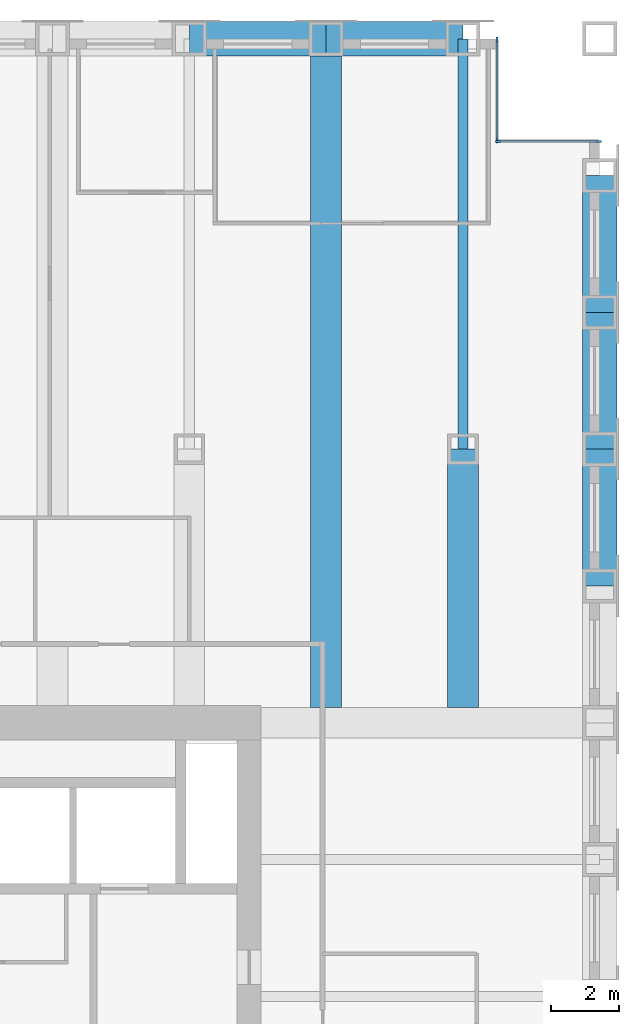
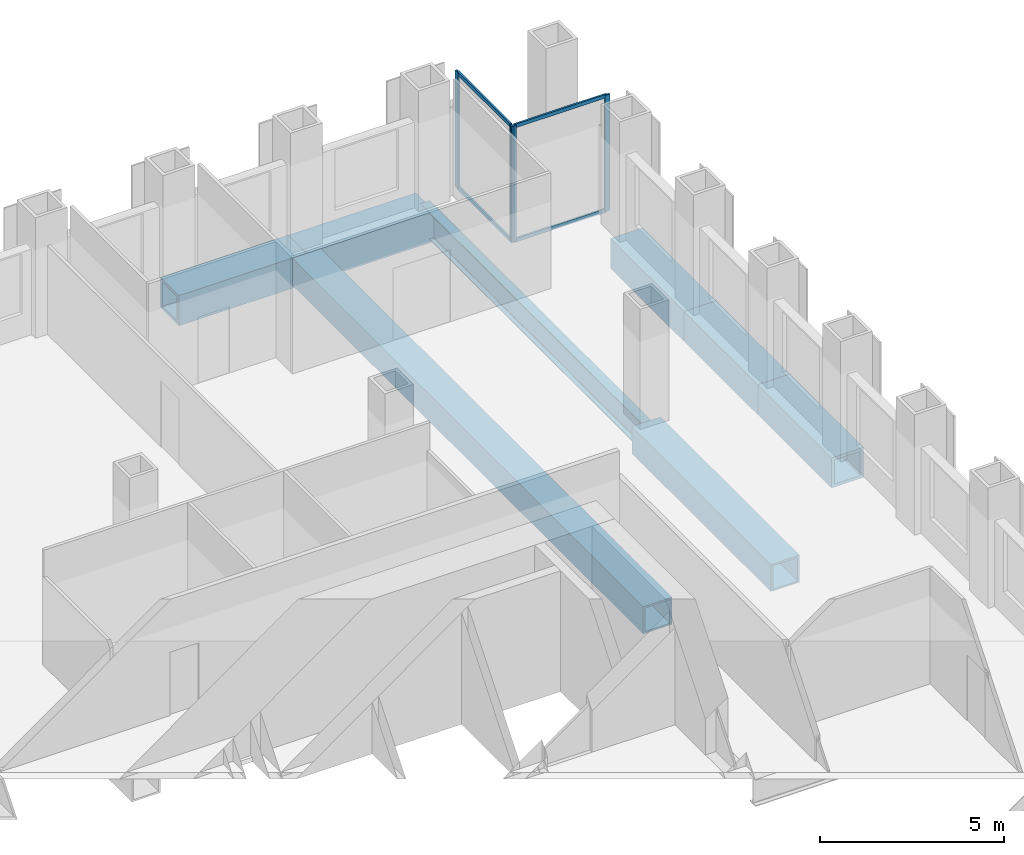
# One storey, part 7 of 13: 8 beams, 8 members, 2 elements without a shape of their own.
"""IFC4 building model written with IfcOpenShell, lengths in metres."""

from ifc_helpers import new_model, si_unit, direction, frame, origin, origin_2d, place, context, subcontext, project, spatial, rectangle, hollow_rectangle, i_section, extrude, material, material_profile, profile_set, type_object, element, aggregate, save


model = new_model("IFC4")

# Units and contexts
model_context = context("Model", 3, precision=1e-05, world=origin(), true_north=direction((0.0, 1.0)))
body_context = subcontext(model_context, "Body", "Model", "MODEL_VIEW")
ifc_project = project(units=[si_unit("LENGTHUNIT", "METRE"), si_unit("AREAUNIT", "SQUARE_METRE"), si_unit("VOLUMEUNIT", "CUBIC_METRE"), si_unit("PLANEANGLEUNIT", "RADIAN"), si_unit("MASSUNIT", "GRAM", prefix="KILO")], contexts=[model_context])

# Site, building, storey
site_placement = place(None, origin())
site = spatial("IfcSite", under=ifc_project, at=site_placement, CompositionType="ELEMENT")
building_placement = place(site_placement, origin())
building = spatial("IfcBuilding", under=site, at=building_placement, Name="Rimbunsela Tower", CompositionType="ELEMENT")
storey_placement = place(building_placement, frame((0.0, 0.0, 191.800048828125)))
storey = spatial("IfcBuildingStorey", under=building, at=storey_placement, Name="L46", CompositionType="ELEMENT", Elevation=191.800048828125)

# Beams
ifc_material_1 = material(Name="Steel BJ 55 (fy 410 MPa)", Category="steel")
ifc_material_profile_1 = material_profile(ifc_material_1, hollow_rectangle(XDim=1.0, YDim=1.0, WallThickness=0.10009765625, at=origin_2d()), Name="BOX 1000x1000x100")
ifc_profile_set_1 = profile_set([ifc_material_profile_1], Name="Steel BJ 55 (fy 410 MPa)")
beam_type_1 = type_object("IfcBeamType", Name="Beam BOX 1000x1000x100", PredefinedType="BEAM", material=ifc_profile_set_1)
for number, where, z_axis, x_axis, name in (
    (1, (34.0, 56.0, -0.650146484375), (1.0, 0.0, 0.0), (0.0, 1.0, 0.0), "Beam B3 L46"),
    (2, (38.0, 56.0, -0.650146484375), (1.0, 0.0, 0.0), (0.0, 1.0, 0.0), "Beam B3 L46"),
    (3, (46.0, 40.0, -0.650146484375), (0.0, 1.0, 0.0), (-1.0, 0.0, 0.0), "Beam B3 L46"),
    (4, (46.0, 44.0, -0.650146484375), (0.0, 1.0, 0.0), (-1.0, 0.0, 0.0), "Beam B3 L46"),
    (5, (46.0, 48.0, -0.650146484375), (0.0, 1.0, 0.0), (-1.0, 0.0, 0.0), "Beam B3 L46"),
):
    element("IfcBeam", number, at=place(storey_placement, frame(where, z_axis=z_axis, x_axis=x_axis)), inside=storey, type_object=beam_type_1, Name=name, PredefinedType="BEAM", context=body_context, shape_type="SweptSolid", body=[
        extrude(hollow_rectangle(XDim=1.0, YDim=1.0, WallThickness=0.10009765625, at=origin_2d()), origin(), (0.0, 0.0, 1.0), 4.0),
    ])
ifc_material_2 = material(Name="Steel BJ 55 (fy 410 MPa)", Category="steel")
ifc_material_profile_2 = material_profile(ifc_material_2, hollow_rectangle(XDim=0.89990234375, YDim=0.89990234375, WallThickness=0.06005859375, at=origin_2d()), Name="BOX 900x900x60")
ifc_profile_set_2 = profile_set([ifc_material_profile_2], Name="Steel BJ 55 (fy 410 MPa)")
beam_type_2 = type_object("IfcBeamType", Name="Beam BOX 900x900x60", PredefinedType="BEAM", material=ifc_profile_set_2)
beam_1_placement = place(storey_placement, frame((38.0, 36.449951171875, -0.60009765625), z_axis=(0.0, 1.0, 0.0), x_axis=(-1.0, 0.0, 0.0)))
element("IfcBeam", 6, at=beam_1_placement, inside=storey, type_object=beam_type_2, Name="Beam B1 L46", PredefinedType="BEAM", context=body_context, shape_type="SweptSolid", body=[
    extrude(hollow_rectangle(XDim=0.89990234375, YDim=0.89990234375, WallThickness=0.06005859375, at=origin_2d()), origin(), (0.0, 0.0, 1.0), 19.550048828125),
])
beam_2_placement = place(storey_placement, frame((42.0, 36.449951171875, -0.60009765625), z_axis=(0.0, 1.0, 0.0), x_axis=(-1.0, 0.0, 0.0)))
element("IfcBeam", 7, at=beam_2_placement, inside=storey, type_object=beam_type_2, Name="Beam B1 L46", PredefinedType="BEAM", context=body_context, shape_type="SweptSolid", body=[
    extrude(hollow_rectangle(XDim=0.89990234375, YDim=0.89990234375, WallThickness=0.06005859375, at=origin_2d()), origin(), (0.0, 0.0, 1.0), 7.550048828125),
])
ifc_material_3 = material(Name="Steel BJ 55 (fy 410 MPa)", Category="steel")
ifc_material_profile_3 = material_profile(ifc_material_3, i_section(OverallWidth=0.300048828125, OverallDepth=0.89990234375, WebThickness=0.01611328125, FlangeThickness=0.028076171875, FilletRadius=0.028076171875, at=origin_2d()), Name="H 900x300x16x28")
ifc_profile_set_3 = profile_set([ifc_material_profile_3], Name="Steel BJ 55 (fy 410 MPa)")
beam_type_3 = type_object("IfcBeamType", Name="Beam H 900x300x16x28", PredefinedType="BEAM", material=ifc_profile_set_3)
beam_3_placement = place(storey_placement, frame((42.0, 44.0, -0.60009765625), z_axis=(0.0, 1.0, 0.0), x_axis=(-1.0, 0.0, 0.0)))
element("IfcBeam", 8, at=beam_3_placement, inside=storey, type_object=beam_type_3, Name="Beam B2 L46", PredefinedType="BEAM", context=body_context, shape_type="SweptSolid", body=[
    extrude(i_section(OverallWidth=0.300048828125, OverallDepth=0.89990234375, WebThickness=0.01611328125, FlangeThickness=0.028076171875, FilletRadius=0.028076171875, at=origin_2d()), origin(), (0.0, 0.0, 1.0), 12.0),
])

# Curtain wall, members
ifc_material_4 = material(Name="Aluminium curtain wall", Category="aluminium")
curtain_wall_type = type_object("IfcCurtainWallType", Name="Corner glazing", PredefinedType="USERDEFINED", material=ifc_material_4)
curtain_wall_1_placement = place(storey_placement, origin())
curtain_wall_1 = element("IfcCurtainWall", 9, at=curtain_wall_1_placement, inside=storey, type_object=curtain_wall_type, Name="Corner glazing L46", ObjectType="CORNER GLAZING", PredefinedType="USERDEFINED")
ifc_material_5 = material(Name="Aluminium mullion", Category="aluminium")
ifc_material_profile_4 = material_profile(ifc_material_5, rectangle(XDim=0.06005859375, YDim=0.159912109375, at=origin_2d()), Name="Mullion 60x160")
ifc_profile_set_4 = profile_set([ifc_material_profile_4], Name="Aluminium mullion")
member_type_1 = type_object("IfcMemberType", Name="Curtain wall mullion 60x160", PredefinedType="MULLION", material=ifc_profile_set_4)
member_1_placement = place(storey_placement, frame((45.969970703125, 53.0, 0.0), z_axis=(0.0, 0.0, 1.0), x_axis=(0.0, -1.0, 0.0)))
member_1 = element("IfcMember", 10, at=member_1_placement, type_object=member_type_1, Name="CW5 mullion 1", PredefinedType="MULLION", context=body_context, shape_type="SweptSolid", body=[
    extrude(rectangle(XDim=0.06005859375, YDim=0.159912109375, at=origin_2d()), origin(), (0.0, 0.0, 1.0), 3.849853515625),
])
member_2_placement = place(storey_placement, frame((43.030029296875, 53.0, 0.0), z_axis=(0.0, 0.0, 1.0), x_axis=(0.0, -1.0, 0.0)))
member_2 = element("IfcMember", 11, at=member_2_placement, type_object=member_type_1, Name="CW5 mullion 2", PredefinedType="MULLION", context=body_context, shape_type="SweptSolid", body=[
    extrude(rectangle(XDim=0.06005859375, YDim=0.159912109375, at=origin_2d()), origin(), (0.0, 0.0, 1.0), 3.849853515625),
])

curtain_wall_2_placement = place(storey_placement, origin())
curtain_wall_2 = element("IfcCurtainWall", 12, at=curtain_wall_2_placement, inside=storey, type_object=curtain_wall_type, Name="Corner glazing L46", ObjectType="CORNER GLAZING", PredefinedType="USERDEFINED")
member_3_placement = place(storey_placement, frame((43.0, 53.030029296875, 0.0), z_axis=(0.0, 0.0, 1.0), x_axis=(-1.0, 0.0, 0.0)))
member_3 = element("IfcMember", 13, at=member_3_placement, type_object=member_type_1, Name="CW5 mullion 1", PredefinedType="MULLION", context=body_context, shape_type="SweptSolid", body=[
    extrude(rectangle(XDim=0.06005859375, YDim=0.159912109375, at=origin_2d()), origin(), (0.0, 0.0, 1.0), 3.849853515625),
])
member_4_placement = place(storey_placement, frame((43.0, 55.969970703125, 0.0), z_axis=(0.0, 0.0, 1.0), x_axis=(-1.0, 0.0, 0.0)))
member_4 = element("IfcMember", 14, at=member_4_placement, type_object=member_type_1, Name="CW5 mullion 2", PredefinedType="MULLION", context=body_context, shape_type="SweptSolid", body=[
    extrude(rectangle(XDim=0.06005859375, YDim=0.159912109375, at=origin_2d()), origin(), (0.0, 0.0, 1.0), 3.849853515625),
])

# Member
ifc_material_6 = material(Name="Aluminium transom", Category="aluminium")
ifc_material_profile_5 = material_profile(ifc_material_6, rectangle(XDim=0.06005859375, YDim=0.1201171875, at=origin_2d()), Name="Transom 60x120")
ifc_profile_set_5 = profile_set([ifc_material_profile_5], Name="Aluminium transom")
member_type_2 = type_object("IfcMemberType", Name="Curtain wall transom 60x120", PredefinedType="USERDEFINED", material=ifc_profile_set_5)
member_5_placement = place(storey_placement, frame((45.93994140625, 53.0, 0.030029296875), z_axis=(-1.0, 0.0, 0.0), x_axis=(0.0, -1.0, 0.0)))
member_5 = element("IfcMember", 15, at=member_5_placement, type_object=member_type_2, Name="CW5 transom 1.1", ObjectType="TRANSOM", PredefinedType="USERDEFINED", context=body_context, shape_type="SweptSolid", body=[
    extrude(rectangle(XDim=0.06005859375, YDim=0.1201171875, at=origin_2d()), origin(), (0.0, 0.0, 1.0), 2.8798828125),
])

member_6_placement = place(storey_placement, frame((45.93994140625, 53.0, 3.820068359375), z_axis=(-1.0, 0.0, 0.0), x_axis=(0.0, -1.0, 0.0)))
member_6 = element("IfcMember", 16, at=member_6_placement, type_object=member_type_2, Name="CW5 transom 1.2", ObjectType="TRANSOM", PredefinedType="USERDEFINED", context=body_context, shape_type="SweptSolid", body=[
    extrude(rectangle(XDim=0.06005859375, YDim=0.1201171875, at=origin_2d()), origin(), (0.0, 0.0, 1.0), 2.8798828125),
])

aggregate(curtain_wall_1, [member_1, member_2, member_5, member_6])

member_7_placement = place(storey_placement, frame((43.0, 53.06005859375, 0.030029296875), z_axis=(0.0, 1.0, 0.0), x_axis=(-1.0, 0.0, 0.0)))
member_7 = element("IfcMember", 17, at=member_7_placement, type_object=member_type_2, Name="CW5 transom 1.1", ObjectType="TRANSOM", PredefinedType="USERDEFINED", context=body_context, shape_type="SweptSolid", body=[
    extrude(rectangle(XDim=0.06005859375, YDim=0.1201171875, at=origin_2d()), origin(), (0.0, 0.0, 1.0), 2.8798828125),
])

member_8_placement = place(storey_placement, frame((43.0, 53.06005859375, 3.820068359375), z_axis=(0.0, 1.0, 0.0), x_axis=(-1.0, 0.0, 0.0)))
member_8 = element("IfcMember", 18, at=member_8_placement, type_object=member_type_2, Name="CW5 transom 1.2", ObjectType="TRANSOM", PredefinedType="USERDEFINED", context=body_context, shape_type="SweptSolid", body=[
    extrude(rectangle(XDim=0.06005859375, YDim=0.1201171875, at=origin_2d()), origin(), (0.0, 0.0, 1.0), 2.8798828125),
])

aggregate(curtain_wall_2, [member_3, member_4, member_7, member_8])

save(model, "model.ifc")
